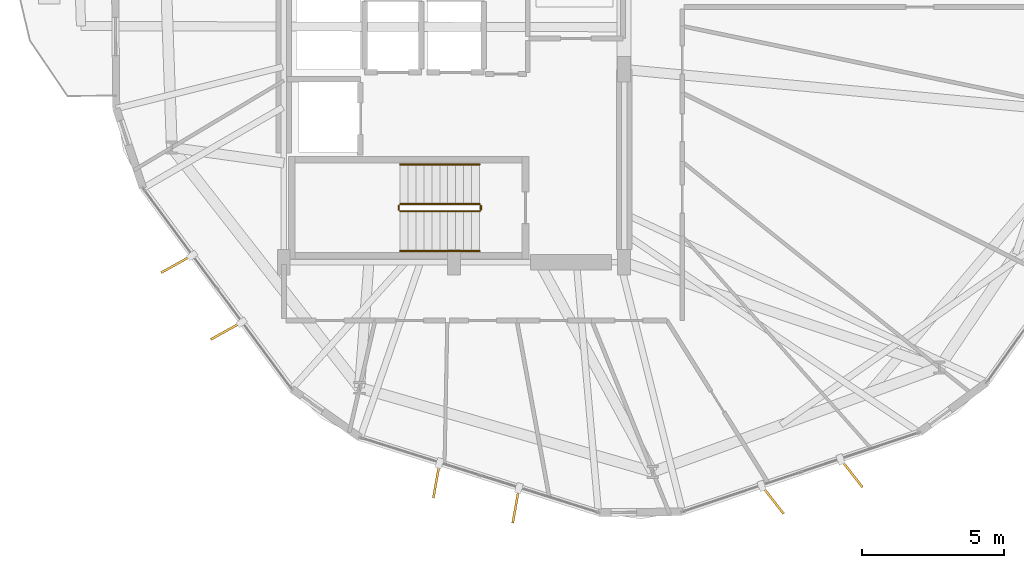
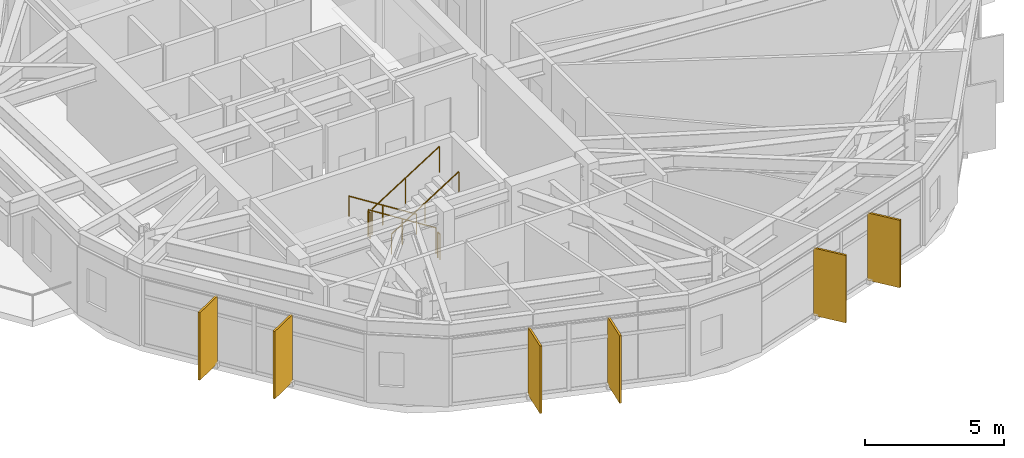
# One storey, part 25 of 27: 6 railings, 6 shading devices.
"""IFC4 building model written with IfcOpenShell, lengths in metres."""

from ifc_helpers import new_model, si_unit, direction, frame, origin, origin_2d, place, context, subcontext, project, spatial, rectangle, circle, extrude, material, layer, layer_set, type_object, element, save


model = new_model("IFC4")

# Units and contexts
model_context = context("Model", 3, precision=1e-05, world=origin(), true_north=direction((0.0, 1.0)))
body_context = subcontext(model_context, "Body", "Model", "MODEL_VIEW")
ifc_project = project(units=[si_unit("LENGTHUNIT", "METRE"), si_unit("AREAUNIT", "SQUARE_METRE"), si_unit("VOLUMEUNIT", "CUBIC_METRE"), si_unit("PLANEANGLEUNIT", "RADIAN"), si_unit("MASSUNIT", "GRAM", prefix="KILO")], contexts=[model_context])

# Site, building, storey
site_placement = place(None, origin())
site = spatial("IfcSite", under=ifc_project, at=site_placement, CompositionType="ELEMENT")
building_placement = place(site_placement, origin())
building = spatial("IfcBuilding", under=site, at=building_placement, Name="Soratama Intermodal Tower", CompositionType="ELEMENT")
storey_placement = place(building_placement, frame((0.0, 0.0, 103.0)))
storey = spatial("IfcBuildingStorey", under=building, at=storey_placement, Name="L24", CompositionType="ELEMENT", Elevation=103.0)

# Railings
ifc_material_1 = material(Name="Painted steel stair guardrail", Category="steel")
railing_type_1 = type_object("IfcRailingType", Name="RL-STAIR-GUARD", PredefinedType="GUARDRAIL", material=ifc_material_1)
railing_1_placement = place(storey_placement, frame((39.5, 17.050048828125, 0.17724609375)))
element("IfcRailing", 1, at=railing_1_placement, inside=storey, type_object=railing_type_1, Name="L24 ST-1 stair guard 1", PredefinedType="GUARDRAIL", context=body_context, shape_type="SweptSolid", body=[
    extrude(circle(Radius=0.02392578125, at=origin_2d()), frame((0.0, 0.0, 1.1259765625), z_axis=(-0.844908973607, 0.0, 0.534910110503), x_axis=(0.0, -1.0, 0.0)), (0.0, 0.0, 1.0), 3.31396484375),
    extrude(circle(Radius=0.02099609375, at=origin_2d()), origin(), (0.0, 0.0, 1.0), 1.101806640625),
    extrude(circle(Radius=0.02099609375, at=origin_2d()), frame((-1.39990234375, 0.0, 0.88623046875)), (0.0, 0.0, 1.0), 1.101806640625),
    extrude(circle(Radius=0.02099609375, at=origin_2d()), frame((-2.800048828125, 0.0, 1.772705078125)), (0.0, 0.0, 1.0), 1.101806640625),
])
railing_2_placement = place(storey_placement, frame((36.64990234375, 17.0, 1.949951171875)))
element("IfcRailing", 2, at=railing_2_placement, inside=storey, type_object=railing_type_1, Name="L24 ST-1 stair guard 2", PredefinedType="GUARDRAIL", context=body_context, shape_type="SweptSolid", body=[
    extrude(circle(Radius=0.02392578125, at=origin_2d()), frame((0.0, 0.0, 1.1259765625), z_axis=(0.0, -1.0, 0.0), x_axis=(1.0, 0.0, 0.0)), (0.0, 0.0, 1.0), 0.14990234375),
    extrude(circle(Radius=0.02099609375, at=origin_2d()), origin(), (0.0, 0.0, 1.0), 1.101806640625),
    extrude(circle(Radius=0.02099609375, at=origin_2d()), frame((0.0, -0.14990234375, 0.0)), (0.0, 0.0, 1.0), 1.101806640625),
])
railing_3_placement = place(storey_placement, frame((36.699951171875, 16.800048828125, 2.127197265625)))
element("IfcRailing", 3, at=railing_3_placement, inside=storey, type_object=railing_type_1, Name="L24 ST-1 stair guard 3", PredefinedType="GUARDRAIL", context=body_context, shape_type="SweptSolid", body=[
    extrude(circle(Radius=0.02392578125, at=origin_2d()), frame((0.0, 0.0, 1.1259765625), z_axis=(0.844908973607, 0.0, 0.534910110503), x_axis=(0.0, 1.0, 0.0)), (0.0, 0.0, 1.0), 3.31396484375),
    extrude(circle(Radius=0.02099609375, at=origin_2d()), origin(), (0.0, 0.0, 1.0), 1.101806640625),
    extrude(circle(Radius=0.02099609375, at=origin_2d()), frame((1.39990234375, 0.0, 0.88623046875)), (0.0, 0.0, 1.0), 1.101806640625),
    extrude(circle(Radius=0.02099609375, at=origin_2d()), frame((2.800048828125, 0.0, 1.772705078125)), (0.0, 0.0, 1.0), 1.101806640625),
])
railing_4_placement = place(storey_placement, frame((39.550048828125, 17.0, 0.0)))
element("IfcRailing", 4, at=railing_4_placement, inside=storey, type_object=railing_type_1, Name="L24 ST-1 stair guard 4", PredefinedType="GUARDRAIL", context=body_context, shape_type="SweptSolid", body=[
    extrude(circle(Radius=0.02392578125, at=origin_2d()), frame((0.0, 0.0, 1.1259765625), z_axis=(0.0, -1.0, 0.0), x_axis=(1.0, 0.0, 0.0)), (0.0, 0.0, 1.0), 0.14990234375),
    extrude(circle(Radius=0.02099609375, at=origin_2d()), origin(), (0.0, 0.0, 1.0), 1.101806640625),
    extrude(circle(Radius=0.02099609375, at=origin_2d()), frame((0.0, -0.14990234375, 0.0)), (0.0, 0.0, 1.0), 1.101806640625),
])
ifc_material_2 = material(Name="Brushed stainless steel handrail", Category="steel")
railing_type_2 = type_object("IfcRailingType", Name="RL-STAIR-HAND", PredefinedType="HANDRAIL", material=ifc_material_2)
railing_5_placement = place(storey_placement, frame((39.5, 18.449951171875, 0.17724609375)))
element("IfcRailing", 5, at=railing_5_placement, inside=storey, type_object=railing_type_2, Name="L24 ST-1 stair handrail 1", PredefinedType="HANDRAIL", context=body_context, shape_type="SweptSolid", body=[
    extrude(circle(Radius=0.02392578125, at=origin_2d()), frame((0.0, 0.0, 0.8759765625), z_axis=(-0.844908973607, 0.0, 0.534910110503), x_axis=(0.0, -1.0, 0.0)), (0.0, 0.0, 1.0), 3.31396484375),
    extrude(circle(Radius=0.02099609375, at=origin_2d()), origin(), (0.0, 0.0, 1.0), 0.851806640625),
    extrude(circle(Radius=0.02099609375, at=origin_2d()), frame((-1.39990234375, 0.0, 0.88623046875)), (0.0, 0.0, 1.0), 0.851806640625),
    extrude(circle(Radius=0.02099609375, at=origin_2d()), frame((-2.800048828125, 0.0, 1.772705078125)), (0.0, 0.0, 1.0), 0.851806640625),
])
railing_6_placement = place(storey_placement, frame((36.699951171875, 15.39990234375, 2.127197265625)))
element("IfcRailing", 6, at=railing_6_placement, inside=storey, type_object=railing_type_2, Name="L24 ST-1 stair handrail 2", PredefinedType="HANDRAIL", context=body_context, shape_type="SweptSolid", body=[
    extrude(circle(Radius=0.02392578125, at=origin_2d()), frame((0.0, 0.0, 0.8759765625), z_axis=(0.844908973607, 0.0, 0.534910110503), x_axis=(0.0, 1.0, 0.0)), (0.0, 0.0, 1.0), 3.31396484375),
    extrude(circle(Radius=0.02099609375, at=origin_2d()), origin(), (0.0, 0.0, 1.0), 0.851806640625),
    extrude(circle(Radius=0.02099609375, at=origin_2d()), frame((1.39990234375, 0.0, 0.88623046875)), (0.0, 0.0, 1.0), 0.851806640625),
    extrude(circle(Radius=0.02099609375, at=origin_2d()), frame((2.800048828125, 0.0, 1.772705078125)), (0.0, 0.0, 1.0), 0.851806640625),
])

# Shading devices
ifc_material_3 = material(Name="Champagne anodised aluminium solar fin", Category="aluminium")
ifc_layer = layer(ifc_material_3, 0.080078125)
ifc_layer_set = layer_set([ifc_layer], Name="Champagne anodised aluminium solar fin")
shading_device_type = type_object("IfcShadingDeviceType", Name="SH-FIN-1250", PredefinedType="USERDEFINED", material=ifc_layer_set)
for number, where, z_axis, x_axis, name in (
    (7, (28.818115234375, 14.93896484375, 0.02001953125), (0.0, 0.0, 1.0), (-0.873602406733, -0.486640354832, 0.0), "L24 Solar Fin F06-1"),
    (8, (30.56591796875, 12.58056640625, 0.02001953125), (0.0, 0.0, 1.0), (-0.873602406733, -0.486640354832, 0.0), "L24 Solar Fin F06-2"),
    (9, (37.981201171875, 7.298828125, 0.02001953125), (0.0, 0.0, 1.0), (-0.174335660806, -0.984686283733, 0.0), "L24 Solar Fin F07-1"),
    (10, (40.781494140625, 6.418212890625, 0.02001953125), (0.0, 0.0, 1.0), (-0.174335660806, -0.984686283733, 0.0), "L24 Solar Fin F07-2"),
    (11, (49.84033203125, 6.625244140625, 0.02001953125), (0.0, 0.0, 1.0), (0.61511119005, -0.788440374331, 0.0), "L24 Solar Fin F08-1"),
    (12, (52.62353515625, 7.55859375, 0.02001953125), (0.0, 0.0, 1.0), (0.61511119005, -0.788440374331, 0.0), "L24 Solar Fin F08-2"),
):
    element("IfcShadingDevice", number, at=place(storey_placement, frame(where, z_axis=z_axis, x_axis=x_axis)), inside=storey, type_object=shading_device_type, Name=name, ObjectType="FIN", PredefinedType="USERDEFINED", context=body_context, shape_type="SweptSolid", body=[
        extrude(rectangle(XDim=1.25, YDim=0.080078125, at=origin_2d()), origin(), (0.0, 0.0, 1.0), 2.958984375),
    ])

save(model, "model.ifc")
